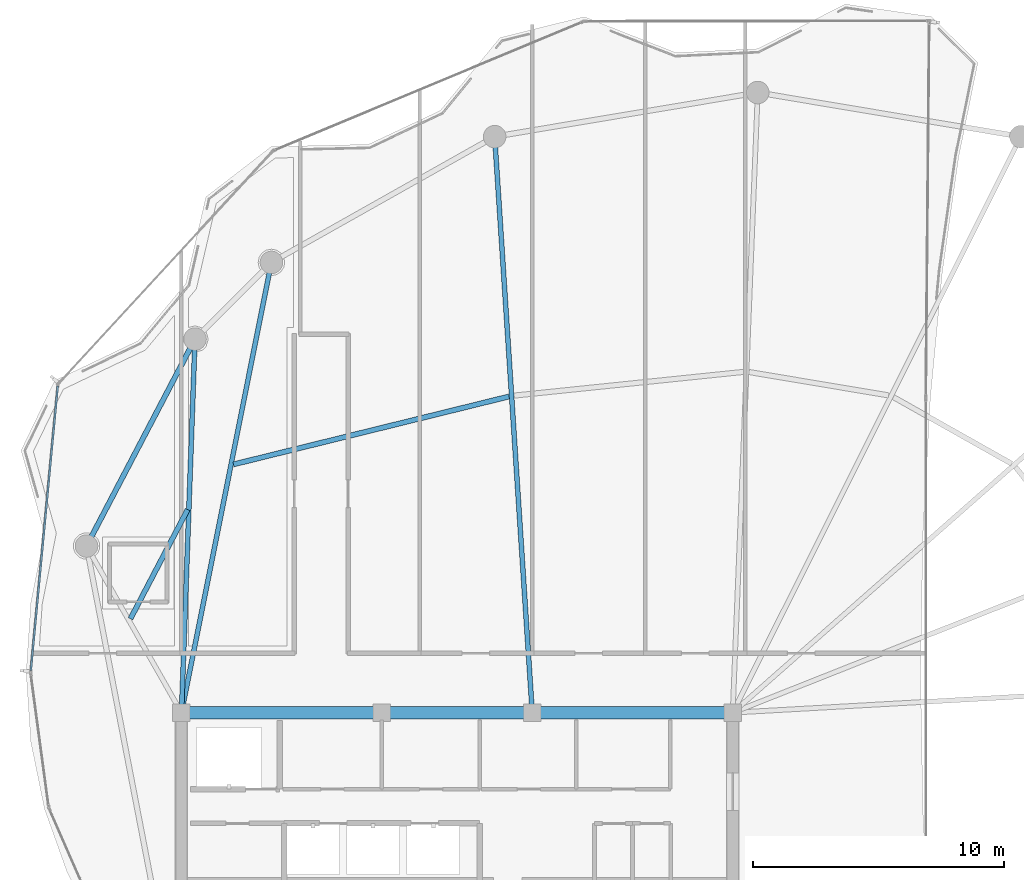
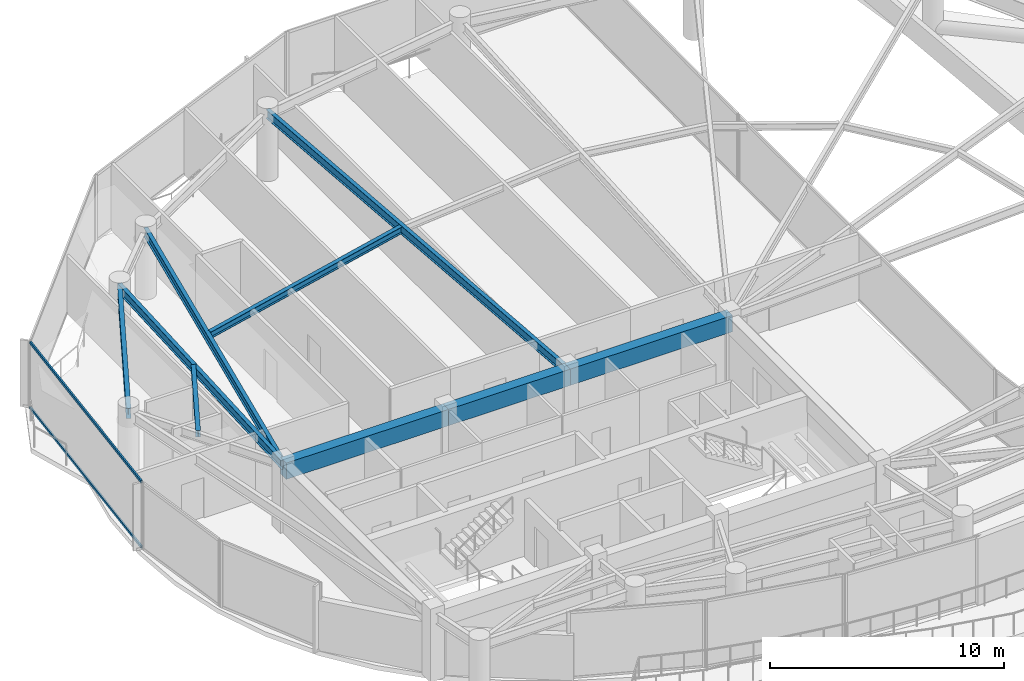
# One storey, part 8 of 22: 9 beams, 2 members, 1 element without a shape of its own.
"""IFC4 building model written with IfcOpenShell, lengths in metres."""

from ifc_helpers import new_model, si_unit, direction, frame, origin, origin_2d, place, context, subcontext, project, spatial, rectangle, hollow_rectangle, i_section, extrude, material, layer, layer_set, material_profile, profile_set, type_object, element, aggregate, save


model = new_model("IFC4")

# Units and contexts
model_context = context("Model", 3, precision=1e-05, world=origin(), true_north=direction((0.0, 1.0)))
body_context = subcontext(model_context, "Body", "Model", "MODEL_VIEW")
ifc_project = project(units=[si_unit("LENGTHUNIT", "METRE"), si_unit("AREAUNIT", "SQUARE_METRE"), si_unit("VOLUMEUNIT", "CUBIC_METRE"), si_unit("PLANEANGLEUNIT", "RADIAN"), si_unit("MASSUNIT", "GRAM", prefix="KILO")], contexts=[model_context])

# Site, building, storey
site_placement = place(None, origin())
site = spatial("IfcSite", under=ifc_project, at=site_placement, CompositionType="ELEMENT")
building_placement = place(site_placement, origin())
building = spatial("IfcBuilding", under=site, at=building_placement, Name="Kazevale Care Tower and Concert Hall", CompositionType="ELEMENT")
storey_placement = place(building_placement, frame((0.0, 0.0, 277.60009765625)))
storey = spatial("IfcBuildingStorey", under=building, at=storey_placement, Name="L73", CompositionType="ELEMENT", Elevation=277.60009765625)

# Curtain wall, members
ifc_material_1 = material(Name="Aluminium 6063-T6 and Low-E Glass", Category="aluminium")
ifc_layer = layer(ifc_material_1, 0.179931640625)
ifc_layer_set = layer_set([ifc_layer], Name="Aluminium 6063-T6 and Low-E Glass")
curtain_wall_type = type_object("IfcCurtainWallType", Name="Waist & Upper Residential Curtain Wall CW-4", PredefinedType="NOTDEFINED", material=ifc_layer_set)
curtain_wall_placement = place(storey_placement, origin())
curtain_wall = element("IfcCurtainWall", 1, at=curtain_wall_placement, inside=storey, type_object=curtain_wall_type, Name="cw:L73:f09", PredefinedType="NOTDEFINED")
ifc_material_2 = material(Name="Aluminium 6063-T6", Category="aluminium")
ifc_material_profile_1 = material_profile(ifc_material_2, hollow_rectangle(XDim=0.080078125, YDim=0.139892578125, WallThickness=0.00390625, at=origin_2d()), Name="ALU80x140x4")
ifc_profile_set_1 = profile_set([ifc_material_profile_1], Name="Aluminium 6063-T6")
member_type = type_object("IfcMemberType", Name="CW-4 Transom ALU80x140x4", PredefinedType="USERDEFINED", material=ifc_profile_set_1)
member_1_placement = place(storey_placement, frame((15.987548828125, 38.07958984375, 0.039794921875), z_axis=(0.094240412588, 0.995549468703, 0.0), x_axis=(-0.995549468703, 0.094240412588, 0.0)))
member_1 = element("IfcMember", 2, at=member_1_placement, type_object=member_type, Name="CW-4 transom 1.1", ObjectType="TRANSOM", PredefinedType="USERDEFINED", context=body_context, shape_type="SweptSolid", body=[
    extrude(hollow_rectangle(XDim=0.080078125, YDim=0.139892578125, WallThickness=0.00390625, at=origin_2d()), origin(), (0.0, 0.0, 1.0), 11.406494140625),
])
member_2_placement = place(storey_placement, frame((15.987548828125, 38.07958984375, 3.43994140625), z_axis=(0.094240412588, 0.995549468703, 0.0), x_axis=(-0.995549468703, 0.094240412588, 0.0)))
member_2 = element("IfcMember", 3, at=member_2_placement, type_object=member_type, Name="CW-4 transom 1.2", ObjectType="TRANSOM", PredefinedType="USERDEFINED", context=body_context, shape_type="SweptSolid", body=[
    extrude(hollow_rectangle(XDim=0.080078125, YDim=0.139892578125, WallThickness=0.00390625, at=origin_2d()), origin(), (0.0, 0.0, 1.0), 11.406494140625),
])
aggregate(curtain_wall, [member_1, member_2])

# Beams
ifc_material_3 = material(Name="Concrete C60", Category="concrete")
ifc_material_profile_2 = material_profile(ifc_material_3, rectangle(XDim=0.5, YDim=0.85009765625, at=origin_2d()), Name="RC-B500x850")
ifc_profile_set_2 = profile_set([ifc_material_profile_2], Name="Concrete C60")
beam_type_1 = type_object("IfcBeamType", Name="Core Coupling Beam RC500x850", PredefinedType="LINTEL", material=ifc_profile_set_2)
beam_1_placement = place(storey_placement, frame((44.0, 36.39990234375, 3.054931640625), z_axis=(-1.0, 0.0, 0.0), x_axis=(0.0, -1.0, 0.0)))
element("IfcBeam", 4, at=beam_1_placement, inside=storey, type_object=beam_type_1, Name="beam:L73:coretie:5", PredefinedType="LINTEL", context=body_context, shape_type="SweptSolid", body=[
    extrude(rectangle(XDim=0.5, YDim=0.85009765625, at=origin_2d()), origin(), (0.0, 0.0, 1.0), 8.0),
])
beam_2_placement = place(storey_placement, frame((36.0, 36.39990234375, 3.054931640625), z_axis=(-1.0, 0.0, 0.0), x_axis=(0.0, -1.0, 0.0)))
element("IfcBeam", 5, at=beam_2_placement, inside=storey, type_object=beam_type_1, Name="beam:L73:coretie:6", PredefinedType="LINTEL", context=body_context, shape_type="SweptSolid", body=[
    extrude(rectangle(XDim=0.5, YDim=0.85009765625, at=origin_2d()), origin(), (0.0, 0.0, 1.0), 6.0),
])
beam_3_placement = place(storey_placement, frame((30.0, 36.39990234375, 3.054931640625), z_axis=(-1.0, 0.0, 0.0), x_axis=(0.0, -1.0, 0.0)))
element("IfcBeam", 6, at=beam_3_placement, inside=storey, type_object=beam_type_1, Name="beam:L73:coretie:7", PredefinedType="LINTEL", context=body_context, shape_type="SweptSolid", body=[
    extrude(rectangle(XDim=0.5, YDim=0.85009765625, at=origin_2d()), origin(), (0.0, 0.0, 1.0), 8.0),
])
ifc_material_4 = material(Name="Steel ASTM A572 Gr 50", Category="steel")
ifc_material_profile_3 = material_profile(ifc_material_4, i_section(OverallWidth=0.19091796875, OverallDepth=0.4599609375, WebThickness=0.010009765625, FlangeThickness=0.01611328125, at=origin_2d()), Name="W460x82")
ifc_profile_set_3 = profile_set([ifc_material_profile_3], Name="Steel ASTM A572 Gr 50")
beam_type_2 = type_object("IfcBeamType", Name="Radial Floor Beam W460x82", PredefinedType="BEAM", material=ifc_profile_set_3)
beam_4_placement = place(storey_placement, frame((36.0, 36.39990234375, 3.25), z_axis=(-0.0651073525, 0.997878265446, 0.0), x_axis=(-0.997878265446, -0.0651073525, 0.0)))
element("IfcBeam", 7, at=beam_4_placement, inside=storey, type_object=beam_type_2, Name="beam:L73:rad:06", PredefinedType="BEAM", context=body_context, shape_type="SweptSolid", body=[
    extrude(i_section(OverallWidth=0.19091796875, OverallDepth=0.4599609375, WebThickness=0.010009765625, FlangeThickness=0.01611328125, at=origin_2d()), origin(), (0.0, 0.0, 1.0), 23.038818359375),
])
beam_5_placement = place(storey_placement, frame((22.0, 36.39990234375, 3.25), z_axis=(0.195908605871, 0.980622158706, 0.0), x_axis=(-0.980622158706, 0.195908605871, 0.0)))
element("IfcBeam", 8, at=beam_5_placement, inside=storey, type_object=beam_type_2, Name="beam:L73:rad:07", PredefinedType="BEAM", context=body_context, shape_type="SweptSolid", body=[
    extrude(i_section(OverallWidth=0.19091796875, OverallDepth=0.4599609375, WebThickness=0.010009765625, FlangeThickness=0.01611328125, at=origin_2d()), origin(), (0.0, 0.0, 1.0), 18.325439453125),
])
beam_6_placement = place(storey_placement, frame((22.0, 36.39990234375, 3.25), z_axis=(0.036195810092, 0.999344716968, 0.0), x_axis=(-0.999344716968, 0.036195810092, 0.0)))
element("IfcBeam", 9, at=beam_6_placement, inside=storey, type_object=beam_type_2, Name="beam:L73:rad:08", PredefinedType="BEAM", context=body_context, shape_type="SweptSolid", body=[
    extrude(i_section(OverallWidth=0.19091796875, OverallDepth=0.4599609375, WebThickness=0.010009765625, FlangeThickness=0.01611328125, at=origin_2d()), origin(), (0.0, 0.0, 1.0), 14.919921875),
])
ifc_material_profile_4 = material_profile(ifc_material_4, i_section(OverallWidth=0.205078125, OverallDepth=0.35400390625, WebThickness=0.009521484375, FlangeThickness=0.016845703125, at=origin_2d()), Name="W360x79")
ifc_profile_set_4 = profile_set([ifc_material_profile_4], Name="Steel ASTM A572 Gr 50")
beam_type_3 = type_object("IfcBeamType", Name="Secondary Floor Joist W360x79", PredefinedType="JOIST", material=ifc_profile_set_4)
beam_7_placement = place(storey_placement, frame((35.072998046875, 49.01904296875, 3.302978515625), z_axis=(-0.970953581022, -0.239267932452, 0.0), x_axis=(0.239267932452, -0.970953581022, 0.0)))
element("IfcBeam", 10, at=beam_7_placement, inside=storey, type_object=beam_type_3, Name="beam:L73:joist:06", PredefinedType="JOIST", context=body_context, shape_type="SweptSolid", body=[
    extrude(i_section(OverallWidth=0.205078125, OverallDepth=0.35400390625, WebThickness=0.009521484375, FlangeThickness=0.016845703125, at=origin_2d()), origin(), (0.0, 0.0, 1.0), 11.326171875),
])
beam_8_placement = place(storey_placement, frame((22.248046875, 44.508056640625, 3.302978515625), z_axis=(-0.46418126854, -0.885740227119, 0.0), x_axis=(0.885740227119, -0.46418126854, 0.0)))
element("IfcBeam", 11, at=beam_8_placement, inside=storey, type_object=beam_type_3, Name="beam:L73:joist:08", PredefinedType="JOIST", context=body_context, shape_type="SweptSolid", body=[
    extrude(i_section(OverallWidth=0.205078125, OverallDepth=0.35400390625, WebThickness=0.009521484375, FlangeThickness=0.016845703125, at=origin_2d()), origin(), (0.0, 0.0, 1.0), 4.92041015625),
])
ifc_material_profile_5 = material_profile(ifc_material_4, i_section(OverallWidth=0.208984375, OverallDepth=0.532958984375, WebThickness=0.01025390625, FlangeThickness=0.015625, at=origin_2d()), Name="W530x92")
ifc_profile_set_5 = profile_set([ifc_material_profile_5], Name="Steel ASTM A572 Gr 50")
beam_type_4 = type_object("IfcBeamType", Name="Upper Ring Beam W530x92", PredefinedType="BEAM", material=ifc_profile_set_5)
beam_9_placement = place(storey_placement, frame((22.5400390625, 51.31005859375, 3.21337890625), z_axis=(-0.464293577914, -0.885681361161, 0.0), x_axis=(0.885681361161, -0.464293577914, 0.0)))
element("IfcBeam", 12, at=beam_9_placement, inside=storey, type_object=beam_type_4, Name="beam:L73:ring:08", PredefinedType="BEAM", context=body_context, shape_type="SweptSolid", body=[
    extrude(i_section(OverallWidth=0.208984375, OverallDepth=0.532958984375, WebThickness=0.01025390625, FlangeThickness=0.015625, at=origin_2d()), origin(), (0.0, 0.0, 1.0), 9.326171875),
])

save(model, "model.ifc")
